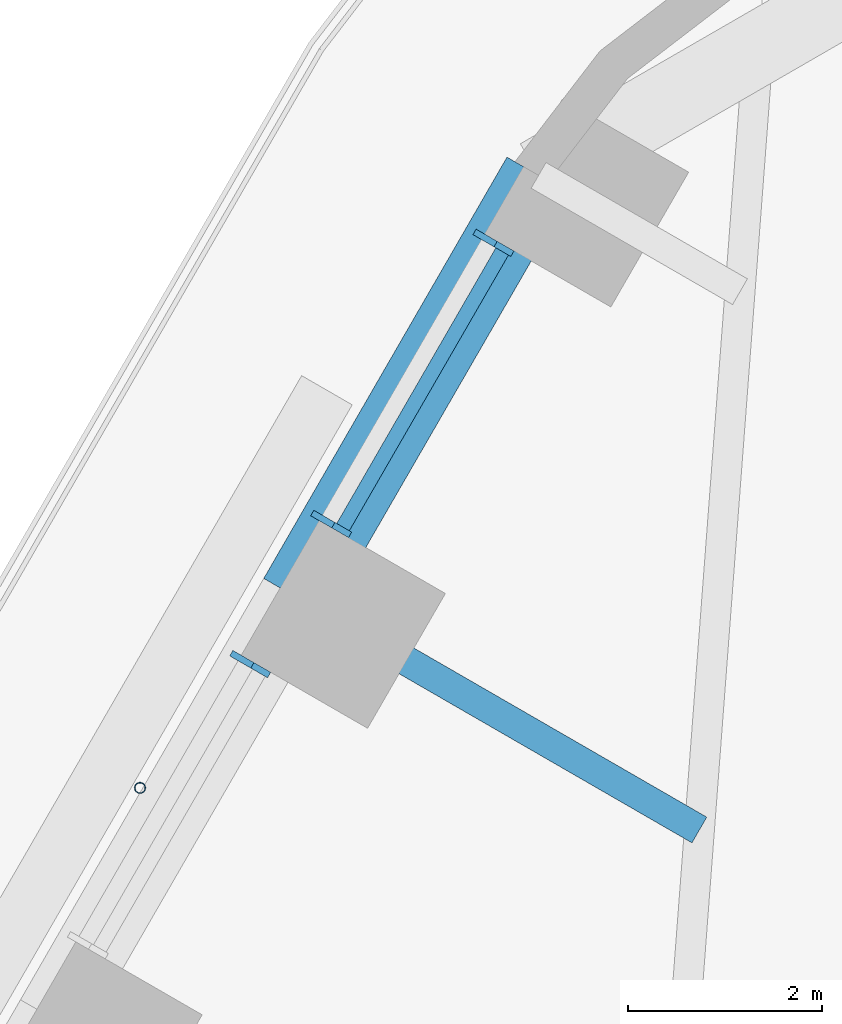
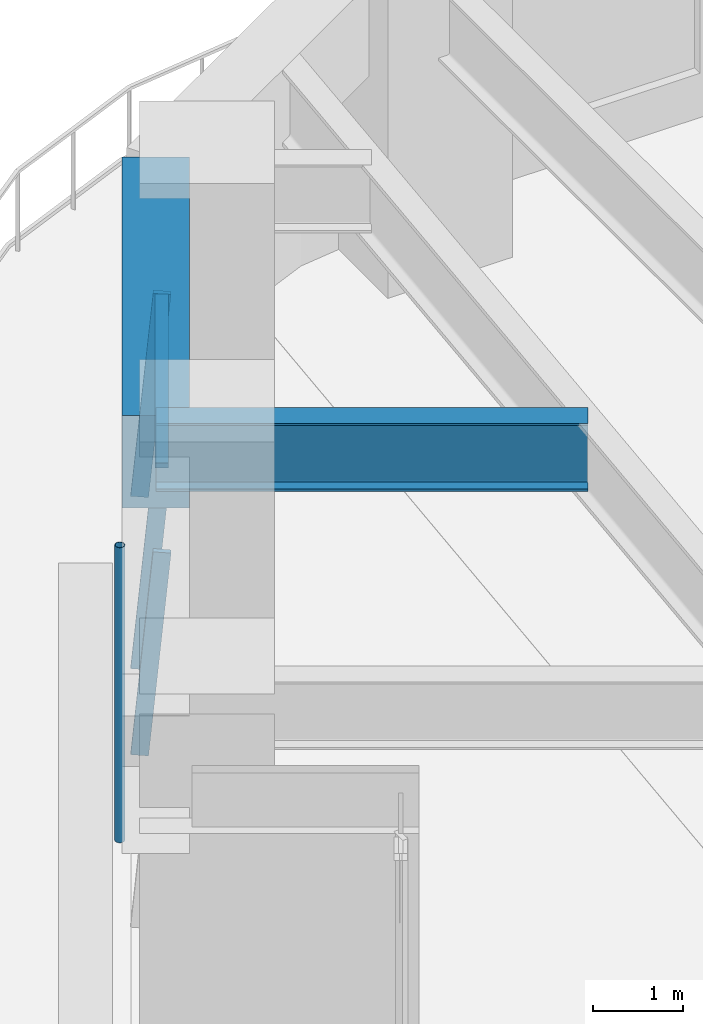
# One storey, part 9 of 24: 5 members, 2 beams, 2 elements without a shape of their own.
"""IFC4 building model written with IfcOpenShell, lengths in metres."""

from ifc_helpers import new_model, si_unit, direction, frame, origin, origin_2d, place, context, subcontext, project, spatial, rectangle, hollow_circle, i_section, extrude, material, material_profile, profile_set, type_object, element, aggregate, save


model = new_model("IFC4")

# Units and contexts
model_context = context("Model", 3, precision=1e-05, world=origin(), true_north=direction((0.0, 1.0)))
body_context = subcontext(model_context, "Body", "Model", "MODEL_VIEW")
ifc_project = project(units=[si_unit("LENGTHUNIT", "METRE"), si_unit("AREAUNIT", "SQUARE_METRE"), si_unit("VOLUMEUNIT", "CUBIC_METRE"), si_unit("PLANEANGLEUNIT", "RADIAN"), si_unit("MASSUNIT", "GRAM", prefix="KILO")], contexts=[model_context])

# Site, building, storey
site_placement = place(None, origin())
site = spatial("IfcSite", under=ifc_project, at=site_placement, CompositionType="ELEMENT")
building_placement = place(site_placement, origin())
building = spatial("IfcBuilding", under=site, at=building_placement, Name="Tarfa Lantern Tower", CompositionType="ELEMENT")
storey_placement = place(building_placement, frame((0.0, 0.0, 157.300048828125)))
storey = spatial("IfcBuildingStorey", under=building, at=storey_placement, Name="L35", CompositionType="ELEMENT", Elevation=157.300048828125)

# Curtain wall, members
ifc_material_1 = material(Name="Aluminium framed curtain wall", Category="aluminium")
curtain_wall_type = type_object("IfcCurtainWallType", Name="CW2 CANTED GLAZING MID ZONE 2750", PredefinedType="USERDEFINED", material=ifc_material_1)
curtain_wall_1_placement = place(storey_placement, origin())
curtain_wall_1 = element("IfcCurtainWall", 1, at=curtain_wall_1_placement, inside=storey, type_object=curtain_wall_type, Name="CW2 NW L35", ObjectType="CURTAIN WALL", PredefinedType="USERDEFINED")
ifc_material_2 = material(Name="Aluminium mullion", Category="aluminium")
ifc_material_profile_1 = material_profile(ifc_material_2, rectangle(XDim=0.06494140625, YDim=0.199951171875, at=origin_2d()), Name="AL MULLION 65x200")
ifc_profile_set_1 = profile_set([ifc_material_profile_1], Name="Aluminium mullion")
member_type_1 = type_object("IfcMemberType", Name="CWM1 MULLION 65x200", PredefinedType="MULLION", material=ifc_profile_set_1)
member_1_placement = place(storey_placement, frame((-20.10400390625, 27.97900390625, 0.0), z_axis=(0.078422950161, -0.045267813396, 0.995891894715), x_axis=(0.499919672301, 0.866071776036, 0.0)))
member_1 = element("IfcMember", 2, at=member_1_placement, type_object=member_type_1, Name="CW2 mullion 1", PredefinedType="MULLION", context=body_context, shape_type="SweptSolid", body=[
    extrude(rectangle(XDim=0.06494140625, YDim=0.199951171875, at=origin_2d()), origin(), (0.0, 0.0, 1.0), 2.76123046875),
])
member_2_placement = place(storey_placement, frame((-21.773193359375, 25.087646484375, 0.0), z_axis=(0.078422950161, -0.045267813396, 0.995891894715), x_axis=(0.499919672301, 0.866071776036, 0.0)))
member_2 = element("IfcMember", 3, at=member_2_placement, type_object=member_type_1, Name="CW2 mullion 2", PredefinedType="MULLION", context=body_context, shape_type="SweptSolid", body=[
    extrude(rectangle(XDim=0.06494140625, YDim=0.199951171875, at=origin_2d()), origin(), (0.0, 0.0, 1.0), 2.76123046875),
])

# Curtain wall, member
curtain_wall_2_placement = place(storey_placement, origin())
curtain_wall_2 = element("IfcCurtainWall", 4, at=curtain_wall_2_placement, inside=storey, type_object=curtain_wall_type, Name="CW2 NW L35", ObjectType="CURTAIN WALL", PredefinedType="USERDEFINED")
member_3_placement = place(storey_placement, frame((-22.605712890625, 23.645751953125, 0.0), z_axis=(0.078422950161, -0.045267813396, 0.995891894715), x_axis=(0.499919672301, 0.866071776036, 0.0)))
member_3 = element("IfcMember", 5, at=member_3_placement, type_object=member_type_1, Name="CW2 mullion 1", PredefinedType="MULLION", context=body_context, shape_type="SweptSolid", body=[
    extrude(rectangle(XDim=0.06494140625, YDim=0.199951171875, at=origin_2d()), origin(), (0.0, 0.0, 1.0), 2.76123046875),
])
aggregate(curtain_wall_2, [member_3])

# Member
ifc_material_3 = material(Name="Aluminium transom", Category="aluminium")
ifc_material_profile_2 = material_profile(ifc_material_3, rectangle(XDim=0.14990234375, YDim=0.06494140625, at=origin_2d()), Name="AL TRANSOM 150x65")
ifc_profile_set_2 = profile_set([ifc_material_profile_2], Name="Aluminium transom")
member_type_2 = type_object("IfcMemberType", Name="CWT1 TRANSOM 150x65", PredefinedType="USERDEFINED", material=ifc_profile_set_2)
member_4_placement = place(storey_placement, frame((-19.90625, 27.827392578125, 2.717529296875), z_axis=(-0.499957005835, -0.866050225054, 0.0), x_axis=(0.866050225054, -0.499957005835, 0.0)))
member_4 = element("IfcMember", 6, at=member_4_placement, type_object=member_type_2, Name="CW2 transom 1.2", ObjectType="TRANSOM", PredefinedType="USERDEFINED", context=body_context, shape_type="SweptSolid", body=[
    extrude(rectangle(XDim=0.14990234375, YDim=0.06494140625, at=origin_2d()), origin(), (0.0, 0.0, 1.0), 3.273681640625),
])

aggregate(curtain_wall_1, [member_1, member_2, member_4])

# Beam
ifc_material_4 = material(Name="Concrete C80/95", Category="concrete")
ifc_material_profile_3 = material_profile(ifc_material_4, rectangle(XDim=0.75, YDim=1.25, at=origin_2d()), Name="RC 750x1250")
ifc_profile_set_3 = profile_set([ifc_material_profile_3], Name="Concrete C80/95")
beam_type_1 = type_object("IfcBeamType", Name="EB2 RC 750x1250", PredefinedType="SPANDREL", material=ifc_profile_set_3)
beam_1_placement = place(storey_placement, frame((-19.53173828125, 28.610107421875, 3.375), z_axis=(-0.500001197378, -0.866024712477, 0.0), x_axis=(0.866024712477, -0.500001197378, 0.0)))
element("IfcBeam", 7, at=beam_1_placement, inside=storey, type_object=beam_type_1, Name="Edge beam NW0", PredefinedType="SPANDREL", context=body_context, shape_type="SweptSolid", body=[
    extrude(rectangle(XDim=0.75, YDim=1.25, at=origin_2d()), origin(), (0.0, 0.0, 1.0), 5.00390625),
])

# Member
ifc_material_5 = material(Name="Steel S355", Category="steel")
ifc_material_profile_4 = material_profile(ifc_material_5, hollow_circle(Radius=0.05712890625, WallThickness=0.00634765625, at=origin_2d()), Name="CHS114.3x6.3")
ifc_profile_set_4 = profile_set([ifc_material_profile_4], Name="Steel S355")
member_type_3 = type_object("IfcMemberType", Name="TR1 GREEN WALL TRELLIS CHS114.3x6.3", PredefinedType="USERDEFINED", material=ifc_profile_set_4)
member_5_placement = place(storey_placement, frame((-23.630859375, 22.31005859375, 0.0), z_axis=(0.0, 0.0, 1.0), x_axis=(1.0, 0.0, 0.0)))
element("IfcMember", 8, at=member_5_placement, inside=storey, type_object=member_type_3, Name="Trellis post NW 1", ObjectType="TRELLIS", PredefinedType="USERDEFINED", context=body_context, shape_type="SweptSolid", body=[
    extrude(hollow_circle(Radius=0.05712890625, WallThickness=0.00634765625, at=origin_2d()), origin(), (0.0, 0.0, 1.0), 4.0),
])

# Beam
ifc_material_6 = material(Name="Steel S460M", Category="steel")
ifc_material_profile_5 = material_profile(ifc_material_6, i_section(OverallWidth=0.305419921875, OverallDepth=0.91845703125, WebThickness=0.017333984375, FlangeThickness=0.02783203125, FilletRadius=0.01904296875, at=origin_2d()), Name="UB914x305x253")
ifc_profile_set_5 = profile_set([ifc_material_profile_5], Name="Steel S460M")
beam_type_2 = type_object("IfcBeamType", Name="UB914x305x253", PredefinedType="BEAM", material=ifc_profile_set_5)
beam_2_placement = place(storey_placement, frame((-22.03369140625, 24.276611328125, 3.540771484375), z_axis=(0.866030550462, -0.499991085587, 0.0), x_axis=(0.499991085587, 0.866030550462, 0.0)))
element("IfcBeam", 9, at=beam_2_placement, inside=storey, type_object=beam_type_2, Name="Floor beam NW1", PredefinedType="BEAM", context=body_context, shape_type="SweptSolid", body=[
    extrude(i_section(OverallWidth=0.305419921875, OverallDepth=0.91845703125, WebThickness=0.017333984375, FlangeThickness=0.02783203125, FilletRadius=0.01904296875, at=origin_2d()), origin(), (0.0, 0.0, 1.0), 4.798828125),
])

save(model, "model.ifc")
